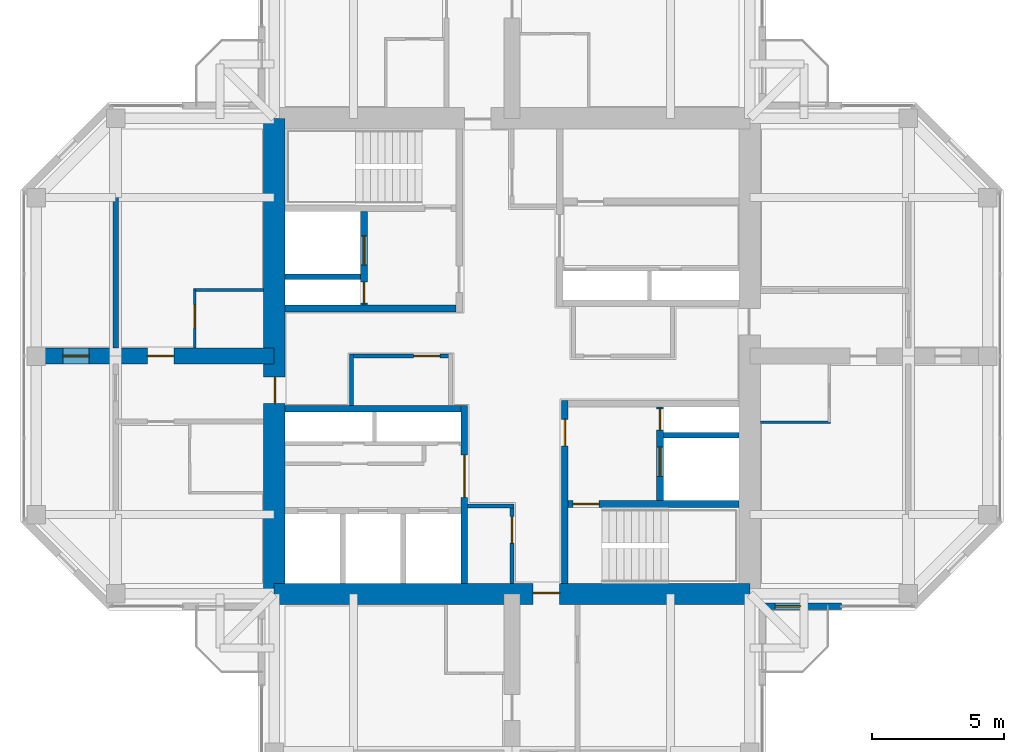
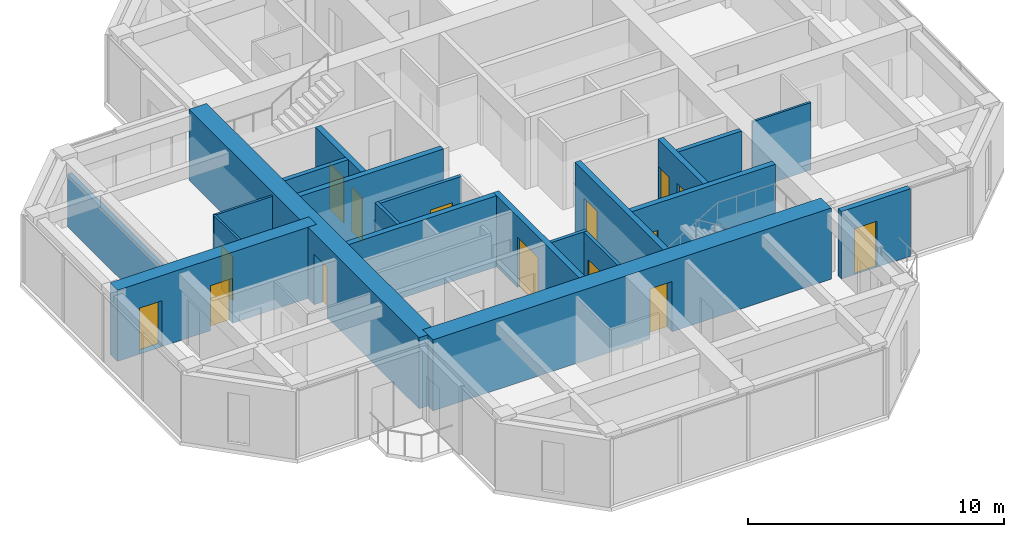
# One storey, part 9 of 13: 21 walls, 15 doors, 15 openings.
"""IFC4 building model written with IfcOpenShell, lengths in metres."""

from ifc_helpers import new_model, si_unit, direction, frame, frame_2d, origin, place, context, subcontext, project, spatial, rectangle, hollow_rectangle, extrude, material, layer, layer_set, constituent, constituent_set, type_object, element, fill, save


model = new_model("IFC4")

# Units and contexts
model_context = context("Model", 3, precision=1e-05, world=origin(), true_north=direction((0.0, 1.0)))
body_context = subcontext(model_context, "Body", "Model", "MODEL_VIEW")
ifc_project = project(units=[si_unit("LENGTHUNIT", "METRE"), si_unit("AREAUNIT", "SQUARE_METRE"), si_unit("VOLUMEUNIT", "CUBIC_METRE"), si_unit("PLANEANGLEUNIT", "RADIAN"), si_unit("MASSUNIT", "GRAM", prefix="KILO")], contexts=[model_context])

# Site, building, storey
site_placement = place(None, origin())
site = spatial("IfcSite", under=ifc_project, at=site_placement, CompositionType="ELEMENT")
building_placement = place(site_placement, origin())
building = spatial("IfcBuilding", under=site, at=building_placement, Name="Torre Cruceta", CompositionType="ELEMENT")
storey_placement = place(building_placement, frame((0.0, 0.0, 267.89990234375)))
storey = spatial("IfcBuildingStorey", under=building, at=storey_placement, Name="L69", CompositionType="ELEMENT", Elevation=267.89990234375)

# Walls
ifc_material_1 = material(Name="Water-resistant plasterboard on steel studs", Category="steel")
ifc_layer_1 = layer(ifc_material_1, 0.10009765625)
ifc_layer_set_1 = layer_set([ifc_layer_1], Name="Water-resistant plasterboard on steel studs")
wall_type_1 = type_object("IfcWallType", Name="BATHROOM WALL 100", PredefinedType="PARTITIONING", material=ifc_layer_set_1)
for number, where, z_axis, x_axis, name in (
    (1, (9.39990234375, -2.5, 0.0), (0.0, 0.0, 1.0), (1.0, 0.0, 0.0), "PT4 L69-E-U1RBB"),
    (2, (-9.39990234375, 2.5, 0.0), (0.0, 0.0, 1.0), (-1.0, 0.0, 0.0), "PT4 L69-W-U1RBB"),
):
    element("IfcWall", number, at=place(storey_placement, frame(where, z_axis=z_axis, x_axis=x_axis)), inside=storey, type_object=wall_type_1, Name=name, PredefinedType="PARTITIONING", context=body_context, shape_type="SweptSolid", body=[
        extrude(rectangle(XDim=2.650146484375, YDim=0.10009765625, at=frame_2d((1.3251953125, 0.0))), origin(), (0.0, 0.0, 1.0), 3.22021484375),
    ])

# Wall, opening, door
wall_1_placement = place(storey_placement, frame((-12.0, 2.5, 0.0), z_axis=(0.0, 0.0, 1.0), x_axis=(0.0, -1.0, 0.0)))
wall_1 = element("IfcWall", 3, at=wall_1_placement, inside=storey, type_object=wall_type_1, Name="PT4 L69-W-U1RBS", PredefinedType="PARTITIONING", context=body_context, shape_type="SweptSolid", body=[
    extrude(rectangle(XDim=2.199951171875, YDim=0.10009765625, at=frame_2d((1.10009765625, 0.0))), origin(), (0.0, 0.0, 1.0), 3.22021484375),
])
opening_1_placement = place(wall_1_placement, frame((0.550048828125, 0.0, 0.0)))
opening_1 = element("IfcOpeningElement", 4, at=opening_1_placement, cuts=wall_1, Name="Opening D7", PredefinedType="OPENING", context=body_context, shape_type="SweptSolid", body=[
    extrude(rectangle(XDim=0.89990234375, YDim=2.10009765625, at=frame_2d((0.449951171875, 1.050048828125))), frame((0.0, 0.06005859375, 0.0), z_axis=(0.0, -1.0, 0.0), x_axis=(1.0, 0.0, 0.0)), (0.0, 0.0, 1.0), 0.1201171875),
])
ifc_material_2 = material(Name="Timber door", Category="wood")
door_type_1 = type_object("IfcDoorType", Name="BATHROOM DOOR 900X2100", OperationType="SINGLE_SWING_LEFT", PredefinedType="DOOR", material=ifc_material_2)
door_1_placement = place(opening_1_placement, origin())
door_1 = element("IfcDoor", 5, at=door_1_placement, inside=storey, type_object=door_type_1, Name="D7 L69-W-U1RBS-D1", OperationType="SINGLE_SWING_LEFT", OverallHeight=2.10009765625, OverallWidth=0.89990234375, PredefinedType="DOOR", context=body_context, shape_type="SweptSolid", body=[
    extrude(rectangle(XDim=0.89990234375, YDim=2.10009765625, at=frame_2d((0.449951171875, 1.050048828125))), frame((0.0, 0.02490234375, 0.0), z_axis=(0.0, -1.0, 0.0), x_axis=(1.0, 0.0, 0.0)), (0.0, 0.0, 1.0), 0.050048828125),
])
fill(opening_1, door_1)

# Wall
ifc_material_3 = material(Name="Concrete G60 (fck 60 MPa)", Category="concrete")
ifc_layer_2 = layer(ifc_material_3, 0.25)
ifc_layer_set_2 = layer_set([ifc_layer_2], Name="Concrete G60 (fck 60 MPa)")
wall_type_2 = type_object("IfcWallType", Name="CORE INNER WALL 250 G60", PredefinedType="SHEAR", material=ifc_layer_set_2)
wall_2_placement = place(storey_placement, frame((-2.125, 1.800048828125, 0.0), z_axis=(0.0, 0.0, 1.0), x_axis=(-1.0, 0.0, 0.0)))
element("IfcWall", 6, at=wall_2_placement, inside=storey, type_object=wall_type_2, Name="CW4 L69 NW-CV", PredefinedType="SHEAR", context=body_context, shape_type="SweptSolid", body=[
    extrude(rectangle(XDim=6.47509765625, YDim=0.25, at=frame_2d((3.237548828125, 0.0))), origin(), (0.0, 0.0, 1.0), 3.400146484375),
])

# Wall, openings, doors
wall_3_placement = place(storey_placement, frame((-5.60009765625, 1.925048828125, 0.0), z_axis=(0.0, 0.0, 1.0), x_axis=(0.0, 1.0, 0.0)))
wall_3 = element("IfcWall", 7, at=wall_3_placement, inside=storey, type_object=wall_type_2, Name="CW4 L69 NW-FU", PredefinedType="SHEAR", context=body_context, shape_type="SweptSolid", body=[
    extrude(rectangle(XDim=3.550048828125, YDim=0.25, at=frame_2d((1.77490234375, 0.0))), origin(), (0.0, 0.0, 1.0), 3.400146484375),
])
opening_2_placement = place(wall_3_placement, frame((1.52490234375, 0.0, 0.0)))
opening_2 = element("IfcOpeningElement", 8, at=opening_2_placement, cuts=wall_3, Name="Opening LD1", PredefinedType="OPENING", context=body_context, shape_type="SweptSolid", body=[
    extrude(rectangle(XDim=1.10009765625, YDim=2.199951171875, at=frame_2d((0.550048828125, 1.10009765625))), frame((0.0, 0.135009765625, 0.0), z_axis=(0.0, -1.0, 0.0), x_axis=(1.0, 0.0, 0.0)), (0.0, 0.0, 1.0), 0.27001953125),
])
opening_3_placement = place(wall_3_placement, frame((0.074951171875, 0.0, 0.0)))
opening_3 = element("IfcOpeningElement", 9, at=opening_3_placement, cuts=wall_3, Name="Opening D5", PredefinedType="OPENING", context=body_context, shape_type="SweptSolid", body=[
    extrude(rectangle(XDim=0.800048828125, YDim=2.10009765625, at=frame_2d((0.39990234375, 1.050048828125))), frame((0.0, 0.135009765625, 0.0), z_axis=(0.0, -1.0, 0.0), x_axis=(1.0, 0.0, 0.0)), (0.0, 0.0, 1.0), 0.27001953125),
])
ifc_material_4 = material(Name="Stainless steel 1.4401", Category="steel")
door_type_2 = type_object("IfcDoorType", Name="LIFT LANDING DOOR 1100X2200", OperationType="DOUBLE_DOOR_SLIDING", PredefinedType="DOOR", material=ifc_material_4)
door_2_placement = place(opening_2_placement, origin())
door_2 = element("IfcDoor", 10, at=door_2_placement, inside=storey, type_object=door_type_2, Name="Lift landing door FL1", OperationType="DOUBLE_DOOR_SLIDING", OverallHeight=2.199951171875, OverallWidth=1.10009765625, PredefinedType="DOOR", context=body_context, shape_type="SweptSolid", body=[
    extrude(rectangle(XDim=1.10009765625, YDim=2.199951171875, at=frame_2d((0.550048828125, 1.10009765625))), frame((0.0, 0.02490234375, 0.0), z_axis=(0.0, -1.0, 0.0), x_axis=(1.0, 0.0, 0.0)), (0.0, 0.0, 1.0), 0.050048828125),
])
fill(opening_2, door_2)
ifc_material_5 = material(Name="Steel DX51D", Category="steel")
ifc_constituent_1 = constituent(ifc_material_5, Name="Leaf and frame")
ifc_material_6 = material(Name="Polyester powder coating", Category="paint")
ifc_constituent_2 = constituent(ifc_material_6, Name="Finish")
ifc_constituent_set_1 = constituent_set(constituents=[ifc_constituent_1, ifc_constituent_2], Name="Steel fire door")
door_type_3 = type_object("IfcDoorType", Name="RISER ACCESS DOOR 800X2100", OperationType="SINGLE_SWING_LEFT", PredefinedType="DOOR", material=ifc_constituent_set_1)
door_3_placement = place(opening_3_placement, origin())
door_3 = element("IfcDoor", 11, at=door_3_placement, inside=storey, type_object=door_type_3, Name="D5 L69 NW-RISER", OperationType="SINGLE_SWING_LEFT", OverallHeight=2.10009765625, OverallWidth=0.800048828125, PredefinedType="DOOR", context=body_context, shape_type="SweptSolid", body=[
    extrude(rectangle(XDim=0.800048828125, YDim=2.10009765625, at=frame_2d((0.39990234375, 1.050048828125))), frame((0.0, 0.02490234375, 0.0), z_axis=(0.0, -1.0, 0.0), x_axis=(1.0, 0.0, 0.0)), (0.0, 0.0, 1.0), 0.050048828125),
])
fill(opening_3, door_3)

# Wall, opening, door
wall_4_placement = place(storey_placement, frame((-1.800048828125, -1.875, 0.0), z_axis=(0.0, 0.0, 1.0), x_axis=(0.0, -1.0, 0.0)))
wall_4 = element("IfcWall", 12, at=wall_4_placement, inside=storey, type_object=wall_type_2, Name="CW4 L69 SW-CU", PredefinedType="SHEAR", context=body_context, shape_type="SweptSolid", body=[
    extrude(rectangle(XDim=6.72509765625, YDim=0.25, at=frame_2d((3.362548828125, 0.0))), origin(), (0.0, 0.0, 1.0), 3.400146484375),
])
opening_4_placement = place(wall_4_placement, frame((1.875, 0.0, 0.0)))
opening_4 = element("IfcOpeningElement", 13, at=opening_4_placement, cuts=wall_4, Name="Opening D8", PredefinedType="OPENING", context=body_context, shape_type="SweptSolid", body=[
    extrude(rectangle(XDim=1.60009765625, YDim=2.39990234375, at=frame_2d((0.800048828125, 1.199951171875))), frame((0.0, 0.135009765625, 0.0), z_axis=(0.0, -1.0, 0.0), x_axis=(1.0, 0.0, 0.0)), (0.0, 0.0, 1.0), 0.27001953125),
])
ifc_material_7 = material(Name="Steel DX51D", Category="steel")
ifc_constituent_3 = constituent(ifc_material_7, Name="Leaf and frame")
ifc_material_8 = material(Name="Polyester powder coating", Category="paint")
ifc_constituent_4 = constituent(ifc_material_8, Name="Finish")
ifc_material_9 = material(Name="Fire-resisting glass", Category="glass")
ifc_constituent_5 = constituent(ifc_material_9, Name="Vision panel")
ifc_constituent_set_2 = constituent_set(constituents=[ifc_constituent_3, ifc_constituent_4, ifc_constituent_5], Name="Steel fire door with vision panels")
door_type_4 = type_object("IfcDoorType", Name="LIFT LOBBY DOUBLE DOOR 1600X2400", OperationType="DOUBLE_DOOR_DOUBLE_SWING", PredefinedType="DOOR", material=ifc_constituent_set_2)
door_4_placement = place(opening_4_placement, origin())
door_4 = element("IfcDoor", 14, at=door_4_placement, inside=storey, type_object=door_type_4, Name="D8 L69 SW-LOBBY", OperationType="DOUBLE_DOOR_DOUBLE_SWING", OverallHeight=2.39990234375, OverallWidth=1.60009765625, PredefinedType="DOOR", context=body_context, shape_type="SweptSolid", body=[
    extrude(rectangle(XDim=1.60009765625, YDim=2.39990234375, at=frame_2d((0.800048828125, 1.199951171875))), frame((0.0, 0.02490234375, 0.0), z_axis=(0.0, -1.0, 0.0), x_axis=(1.0, 0.0, 0.0)), (0.0, 0.0, 1.0), 0.050048828125),
])
fill(opening_4, door_4)

# Wall
wall_5_placement = place(storey_placement, frame((-1.925048828125, -2.0, 0.0), z_axis=(0.0, 0.0, 1.0), x_axis=(-1.0, 0.0, 0.0)))
element("IfcWall", 15, at=wall_5_placement, inside=storey, type_object=wall_type_2, Name="CW4 L69 SW-CV", PredefinedType="SHEAR", context=body_context, shape_type="SweptSolid", body=[
    extrude(rectangle(XDim=6.675048828125, YDim=0.25, at=frame_2d((3.33740234375, 0.0))), origin(), (0.0, 0.0, 1.0), 3.400146484375),
])

# Wall, opening, door
wall_6_placement = place(storey_placement, frame((2.0, -1.675048828125, 0.0), z_axis=(0.0, 0.0, 1.0), x_axis=(0.0, -1.0, 0.0)))
wall_6 = element("IfcWall", 16, at=wall_6_placement, inside=storey, type_object=wall_type_2, Name="CW4 L69 SE-CU", PredefinedType="SHEAR", context=body_context, shape_type="SweptSolid", body=[
    extrude(rectangle(XDim=6.925048828125, YDim=0.25, at=frame_2d((3.46240234375, 0.0))), origin(), (0.0, 0.0, 1.0), 3.400146484375),
])
opening_5_placement = place(wall_6_placement, frame((0.72509765625, 0.0, 0.0)))
opening_5 = element("IfcOpeningElement", 17, at=opening_5_placement, cuts=wall_6, Name="Opening D3", PredefinedType="OPENING", context=body_context, shape_type="SweptSolid", body=[
    extrude(rectangle(XDim=1.0, YDim=2.10009765625, at=frame_2d((0.5, 1.050048828125))), frame((0.0, 0.135009765625, 0.0), z_axis=(0.0, -1.0, 0.0), x_axis=(1.0, 0.0, 0.0)), (0.0, 0.0, 1.0), 0.27001953125),
])
ifc_material_10 = material(Name="Steel DX51D", Category="steel")
ifc_constituent_6 = constituent(ifc_material_10, Name="Leaf and frame")
ifc_material_11 = material(Name="Polyester powder coating", Category="paint")
ifc_constituent_7 = constituent(ifc_material_11, Name="Finish")
ifc_constituent_set_3 = constituent_set(constituents=[ifc_constituent_6, ifc_constituent_7], Name="Steel fire door")
door_type_5 = type_object("IfcDoorType", Name="FIRE DOOR 1000X2100", OperationType="SINGLE_SWING_LEFT", PredefinedType="DOOR", material=ifc_constituent_set_3)
door_5_placement = place(opening_5_placement, origin())
door_5 = element("IfcDoor", 18, at=door_5_placement, inside=storey, type_object=door_type_5, Name="D3 L69 SE-LOBBY", OperationType="SINGLE_SWING_LEFT", OverallHeight=2.10009765625, OverallWidth=1.0, PredefinedType="DOOR", context=body_context, shape_type="SweptSolid", body=[
    extrude(rectangle(XDim=1.0, YDim=2.10009765625, at=frame_2d((0.5, 1.050048828125))), frame((0.0, 0.02490234375, 0.0), z_axis=(0.0, -1.0, 0.0), x_axis=(1.0, 0.0, 0.0)), (0.0, 0.0, 1.0), 0.050048828125),
])
fill(opening_5, door_5)

wall_7_placement = place(storey_placement, frame((2.125, -5.60009765625, 0.0), z_axis=(0.0, 0.0, 1.0), x_axis=(1.0, 0.0, 0.0)))
wall_7 = element("IfcWall", 19, at=wall_7_placement, inside=storey, type_object=wall_type_2, Name="CW4 L69 SE-SV", PredefinedType="SHEAR", context=body_context, shape_type="SweptSolid", body=[
    extrude(rectangle(XDim=6.47509765625, YDim=0.25, at=frame_2d((3.237548828125, 0.0))), origin(), (0.0, 0.0, 1.0), 3.400146484375),
])
opening_6_placement = place(wall_7_placement, frame((0.175048828125, 0.0, 0.0)))
opening_6 = element("IfcOpeningElement", 20, at=opening_6_placement, cuts=wall_7, Name="Opening D3", PredefinedType="OPENING", context=body_context, shape_type="SweptSolid", body=[
    extrude(rectangle(XDim=1.0, YDim=2.10009765625, at=frame_2d((0.5, 1.050048828125))), frame((0.0, 0.135009765625, 0.0), z_axis=(0.0, -1.0, 0.0), x_axis=(1.0, 0.0, 0.0)), (0.0, 0.0, 1.0), 0.27001953125),
])
door_6_placement = place(opening_6_placement, frame((1.0, 0.0, 0.0), z_axis=(0.0, 0.0, 1.0), x_axis=(-1.0, 0.0, 0.0)))
door_6 = element("IfcDoor", 21, at=door_6_placement, inside=storey, type_object=door_type_5, Name="D3 L69 SE-STAIR", OperationType="SINGLE_SWING_RIGHT", OverallHeight=2.10009765625, OverallWidth=1.0, PredefinedType="DOOR", context=body_context, shape_type="SweptSolid", body=[
    extrude(rectangle(XDim=1.0, YDim=2.10009765625, at=frame_2d((0.5, 1.050048828125))), frame((0.0, 0.025146484375, 0.0), z_axis=(0.0, -1.0, 0.0), x_axis=(1.0, 0.0, 0.0)), (0.0, 0.0, 1.0), 0.050048828125),
])
fill(opening_6, door_6)

# Wall, openings, doors
wall_8_placement = place(storey_placement, frame((5.60009765625, -1.925048828125, 0.0), z_axis=(0.0, 0.0, 1.0), x_axis=(0.0, -1.0, 0.0)))
wall_8 = element("IfcWall", 22, at=wall_8_placement, inside=storey, type_object=wall_type_2, Name="CW4 L69 SE-FU", PredefinedType="SHEAR", context=body_context, shape_type="SweptSolid", body=[
    extrude(rectangle(XDim=3.550048828125, YDim=0.25, at=frame_2d((1.77490234375, 0.0))), origin(), (0.0, 0.0, 1.0), 3.400146484375),
])
opening_7_placement = place(wall_8_placement, frame((1.52490234375, 0.0, 0.0)))
opening_7 = element("IfcOpeningElement", 23, at=opening_7_placement, cuts=wall_8, Name="Opening LD1", PredefinedType="OPENING", context=body_context, shape_type="SweptSolid", body=[
    extrude(rectangle(XDim=1.10009765625, YDim=2.199951171875, at=frame_2d((0.550048828125, 1.10009765625))), frame((0.0, 0.135009765625, 0.0), z_axis=(0.0, -1.0, 0.0), x_axis=(1.0, 0.0, 0.0)), (0.0, 0.0, 1.0), 0.27001953125),
])
opening_8_placement = place(wall_8_placement, frame((0.074951171875, 0.0, 0.0)))
opening_8 = element("IfcOpeningElement", 24, at=opening_8_placement, cuts=wall_8, Name="Opening D5", PredefinedType="OPENING", context=body_context, shape_type="SweptSolid", body=[
    extrude(rectangle(XDim=0.800048828125, YDim=2.10009765625, at=frame_2d((0.39990234375, 1.050048828125))), frame((0.0, 0.135009765625, 0.0), z_axis=(0.0, -1.0, 0.0), x_axis=(1.0, 0.0, 0.0)), (0.0, 0.0, 1.0), 0.27001953125),
])
door_7_placement = place(opening_7_placement, origin())
door_7 = element("IfcDoor", 25, at=door_7_placement, inside=storey, type_object=door_type_2, Name="Lift landing door FL2", OperationType="DOUBLE_DOOR_SLIDING", OverallHeight=2.199951171875, OverallWidth=1.10009765625, PredefinedType="DOOR", context=body_context, shape_type="SweptSolid", body=[
    extrude(rectangle(XDim=1.10009765625, YDim=2.199951171875, at=frame_2d((0.550048828125, 1.10009765625))), frame((0.0, 0.02490234375, 0.0), z_axis=(0.0, -1.0, 0.0), x_axis=(1.0, 0.0, 0.0)), (0.0, 0.0, 1.0), 0.050048828125),
])
fill(opening_7, door_7)
door_8_placement = place(opening_8_placement, origin())
door_8 = element("IfcDoor", 26, at=door_8_placement, inside=storey, type_object=door_type_3, Name="D5 L69 SE-RISER", OperationType="SINGLE_SWING_LEFT", OverallHeight=2.10009765625, OverallWidth=0.800048828125, PredefinedType="DOOR", context=body_context, shape_type="SweptSolid", body=[
    extrude(rectangle(XDim=0.800048828125, YDim=2.10009765625, at=frame_2d((0.39990234375, 1.050048828125))), frame((0.0, 0.02490234375, 0.0), z_axis=(0.0, -1.0, 0.0), x_axis=(1.0, 0.0, 0.0)), (0.0, 0.0, 1.0), 0.050048828125),
])
fill(opening_8, door_8)

# Wall, opening, door
ifc_material_12 = material(Name="Concrete G60 (fck 60 MPa)", Category="concrete")
ifc_layer_3 = layer(ifc_material_12, 0.800048828125)
ifc_layer_set_3 = layer_set([ifc_layer_3], Name="Concrete G60 (fck 60 MPa)")
wall_type_3 = type_object("IfcWallType", Name="CORE WALL 800 G60", PredefinedType="SHEAR", material=ifc_layer_set_3)
wall_9_placement = place(storey_placement, frame((-9.0, -9.0, 0.0), z_axis=(0.0, 0.0, 1.0), x_axis=(1.0, 0.0, 0.0)))
wall_9 = element("IfcWall", 27, at=wall_9_placement, inside=storey, type_object=wall_type_3, Name="CW3 L69 CW-S", PredefinedType="SHEAR", context=body_context, shape_type="SweptSolid", body=[
    extrude(rectangle(XDim=18.0, YDim=0.800048828125, at=frame_2d((9.0, 0.0))), origin(), (0.0, 0.0, 1.0), 3.400146484375),
])
opening_9_placement = place(wall_9_placement, frame((9.800048828125, 0.0, 0.0)))
opening_9 = element("IfcOpeningElement", 28, at=opening_9_placement, cuts=wall_9, Name="Opening D4", PredefinedType="OPENING", context=body_context, shape_type="SweptSolid", body=[
    extrude(rectangle(XDim=1.0, YDim=2.39990234375, at=frame_2d((0.5, 1.199951171875))), frame((0.0, 0.409912109375, 0.0), z_axis=(0.0, -1.0, 0.0), x_axis=(1.0, 0.0, 0.0)), (0.0, 0.0, 1.0), 0.820068359375),
])
ifc_material_13 = material(Name="Steel DX51D", Category="steel")
ifc_constituent_8 = constituent(ifc_material_13, Name="Leaf and frame")
ifc_material_14 = material(Name="Polyester powder coating", Category="paint")
ifc_constituent_9 = constituent(ifc_material_14, Name="Finish")
ifc_constituent_set_4 = constituent_set(constituents=[ifc_constituent_8, ifc_constituent_9], Name="Steel fire door")
door_type_6 = type_object("IfcDoorType", Name="CORE ARM DOOR 1000X2400", OperationType="SINGLE_SWING_RIGHT", PredefinedType="DOOR", material=ifc_constituent_set_4)
door_9_placement = place(opening_9_placement, origin())
door_9 = element("IfcDoor", 29, at=door_9_placement, inside=storey, type_object=door_type_6, Name="D4 L69 CW-S", OperationType="SINGLE_SWING_RIGHT", OverallHeight=2.39990234375, OverallWidth=1.0, PredefinedType="DOOR", context=body_context, shape_type="SweptSolid", body=[
    extrude(rectangle(XDim=1.0, YDim=2.39990234375, at=frame_2d((0.5, 1.199951171875))), frame((0.0, 0.05517578125, 0.0), z_axis=(0.0, -1.0, 0.0), x_axis=(1.0, 0.0, 0.0)), (0.0, 0.0, 1.0), 0.050048828125),
])
fill(opening_9, door_9)

wall_10_placement = place(storey_placement, frame((-9.0, 9.0, 0.0), z_axis=(0.0, 0.0, 1.0), x_axis=(0.0, -1.0, 0.0)))
wall_10 = element("IfcWall", 30, at=wall_10_placement, inside=storey, type_object=wall_type_3, Name="CW3 L69 CW-W", PredefinedType="SHEAR", context=body_context, shape_type="SweptSolid", body=[
    extrude(rectangle(XDim=18.0, YDim=0.800048828125, at=frame_2d((9.0, 0.0))), origin(), (0.0, 0.0, 1.0), 3.400146484375),
])
opening_10_placement = place(wall_10_placement, frame((9.800048828125, 0.0, 0.0)))
opening_10 = element("IfcOpeningElement", 31, at=opening_10_placement, cuts=wall_10, Name="Opening D4", PredefinedType="OPENING", context=body_context, shape_type="SweptSolid", body=[
    extrude(rectangle(XDim=1.0, YDim=2.39990234375, at=frame_2d((0.5, 1.199951171875))), frame((0.0, 0.409912109375, 0.0), z_axis=(0.0, -1.0, 0.0), x_axis=(1.0, 0.0, 0.0)), (0.0, 0.0, 1.0), 0.820068359375),
])
door_10_placement = place(opening_10_placement, origin())
door_10 = element("IfcDoor", 32, at=door_10_placement, inside=storey, type_object=door_type_6, Name="D4 L69 CW-W", OperationType="SINGLE_SWING_RIGHT", OverallHeight=2.39990234375, OverallWidth=1.0, PredefinedType="DOOR", context=body_context, shape_type="SweptSolid", body=[
    extrude(rectangle(XDim=1.0, YDim=2.39990234375, at=frame_2d((0.5, 1.199951171875))), frame((0.0, 0.05517578125, 0.0), z_axis=(0.0, -1.0, 0.0), x_axis=(1.0, 0.0, 0.0)), (0.0, 0.0, 1.0), 0.050048828125),
])
fill(opening_10, door_10)

# Walls
ifc_material_15 = material(Name="Concrete G35 (fck 35 MPa)", Category="concrete")
ifc_layer_4 = layer(ifc_material_15, 0.199951171875)
ifc_layer_set_4 = layer_set([ifc_layer_4], Name="Concrete G35 (fck 35 MPa)")
wall_type_4 = type_object("IfcWallType", Name="LIFT SHAFT WALL 200", PredefinedType="PARTITIONING", material=ifc_layer_set_4)
for number, where, z_axis, x_axis, name in (
    (33, (-5.72509765625, 3.0, 0.0), (0.0, 0.0, 1.0), (-1.0, 0.0, 0.0), "SW1 L69 NW-FR"),
    (34, (5.72509765625, -3.0, 0.0), (0.0, 0.0, 1.0), (1.0, 0.0, 0.0), "SW1 L69 SE-FR"),
):
    element("IfcWall", number, at=place(storey_placement, frame(where, z_axis=z_axis, x_axis=x_axis)), inside=storey, type_object=wall_type_4, Name=name, PredefinedType="PARTITIONING", context=body_context, shape_type="SweptSolid", body=[
        extrude(rectangle(XDim=2.875, YDim=0.199951171875, at=frame_2d((1.4375, 0.0))), origin(), (0.0, 0.0, 1.0), 3.400146484375),
    ])

# Wall, opening, door
ifc_material_16 = material(Name="Plasterboard on steel studs", Category="steel")
ifc_layer_5 = layer(ifc_material_16, 0.14990234375)
ifc_layer_set_5 = layer_set([ifc_layer_5], Name="Plasterboard on steel studs")
wall_type_5 = type_object("IfcWallType", Name="PARTITION 150", PredefinedType="PARTITIONING", material=ifc_layer_set_5)
wall_11_placement = place(storey_placement, frame((-2.324951171875, 0.0, 0.0), z_axis=(0.0, 0.0, 1.0), x_axis=(-1.0, 0.0, 0.0)))
wall_11 = element("IfcWall", 35, at=wall_11_placement, inside=storey, type_object=wall_type_5, Name="PT1 L69-CORE-LEGW-S-W1", PredefinedType="PARTITIONING", context=body_context, shape_type="SweptSolid", body=[
    extrude(rectangle(XDim=3.75, YDim=0.14990234375, at=frame_2d((1.875, 0.0))), origin(), (0.0, 0.0, 1.0), 3.22021484375),
])
opening_11_placement = place(wall_11_placement, frame((0.39990234375, 0.0, 0.0)))
opening_11 = element("IfcOpeningElement", 36, at=opening_11_placement, cuts=wall_11, Name="Opening D3", PredefinedType="OPENING", context=body_context, shape_type="SweptSolid", body=[
    extrude(rectangle(XDim=1.0, YDim=2.10009765625, at=frame_2d((0.5, 1.050048828125))), frame((0.0, 0.0849609375, 0.0), z_axis=(0.0, -1.0, 0.0), x_axis=(1.0, 0.0, 0.0)), (0.0, 0.0, 1.0), 0.169921875),
])
door_11_placement = place(opening_11_placement, origin())
door_11 = element("IfcDoor", 37, at=door_11_placement, inside=storey, type_object=door_type_5, Name="D3 L69-CORE-LEGW-S-W1-D1", OperationType="SINGLE_SWING_LEFT", OverallHeight=2.10009765625, OverallWidth=1.0, PredefinedType="DOOR", context=body_context, shape_type="SweptSolid", body=[
    extrude(rectangle(XDim=1.0, YDim=2.10009765625, at=frame_2d((0.5, 1.050048828125))), frame((0.0, 0.02490234375, 0.0), z_axis=(0.0, -1.0, 0.0), x_axis=(1.0, 0.0, 0.0)), (0.0, 0.0, 1.0), 0.050048828125),
])
fill(opening_11, door_11)

# Wall
wall_12_placement = place(storey_placement, frame((-6.074951171875, 0.074951171875, 0.0), z_axis=(0.0, 0.0, 1.0), x_axis=(0.0, -1.0, 0.0)))
element("IfcWall", 38, at=wall_12_placement, inside=storey, type_object=wall_type_5, Name="PT1 L69-CORE-LEGW-S-W3", PredefinedType="PARTITIONING", context=body_context, shape_type="SweptSolid", body=[
    extrude(rectangle(XDim=1.949951171875, YDim=0.14990234375, at=frame_2d((0.97509765625, 0.0))), origin(), (0.0, 0.0, 1.0), 3.22021484375),
])

# Wall, opening, door
wall_13_placement = place(storey_placement, frame((0.0, -5.675048828125, 0.0), z_axis=(0.0, 0.0, 1.0), x_axis=(0.0, -1.0, 0.0)))
wall_13 = element("IfcWall", 39, at=wall_13_placement, inside=storey, type_object=wall_type_5, Name="PT1 L69-CORE-LEGS-W-W1", PredefinedType="PARTITIONING", context=body_context, shape_type="SweptSolid", body=[
    extrude(rectangle(XDim=2.925048828125, YDim=0.14990234375, at=frame_2d((1.46240234375, 0.0))), origin(), (0.0, 0.0, 1.0), 3.22021484375),
])
opening_12_placement = place(wall_13_placement, frame((0.39990234375, 0.0, 0.0)))
opening_12 = element("IfcOpeningElement", 40, at=opening_12_placement, cuts=wall_13, Name="Opening D3", PredefinedType="OPENING", context=body_context, shape_type="SweptSolid", body=[
    extrude(rectangle(XDim=1.0, YDim=2.10009765625, at=frame_2d((0.5, 1.050048828125))), frame((0.0, 0.0849609375, 0.0), z_axis=(0.0, -1.0, 0.0), x_axis=(1.0, 0.0, 0.0)), (0.0, 0.0, 1.0), 0.169921875),
])
door_12_placement = place(opening_12_placement, frame((1.0, 0.0, 0.0), z_axis=(0.0, 0.0, 1.0), x_axis=(-1.0, 0.0, 0.0)))
door_12 = element("IfcDoor", 41, at=door_12_placement, inside=storey, type_object=door_type_5, Name="D3 L69-CORE-LEGS-W-W1-D1", OperationType="SINGLE_SWING_RIGHT", OverallHeight=2.10009765625, OverallWidth=1.0, PredefinedType="DOOR", context=body_context, shape_type="SweptSolid", body=[
    extrude(rectangle(XDim=1.0, YDim=2.10009765625, at=frame_2d((0.5, 1.050048828125))), frame((0.0, 0.025146484375, 0.0), z_axis=(0.0, -1.0, 0.0), x_axis=(1.0, 0.0, 0.0)), (0.0, 0.0, 1.0), 0.050048828125),
])
fill(opening_12, door_12)

# Wall
wall_14_placement = place(storey_placement, frame((-1.675048828125, -5.675048828125, 0.0), z_axis=(0.0, 0.0, 1.0), x_axis=(1.0, 0.0, 0.0)))
element("IfcWall", 42, at=wall_14_placement, inside=storey, type_object=wall_type_5, Name="PT1 L69-CORE-LEGS-W-W2", PredefinedType="PARTITIONING", context=body_context, shape_type="SweptSolid", body=[
    extrude(rectangle(XDim=1.75, YDim=0.14990234375, at=frame_2d((0.875, 0.0))), origin(), (0.0, 0.0, 1.0), 3.22021484375),
])

# Wall, openings, doors
ifc_material_17 = material(Name="Concrete G60 (fck 60 MPa)", Category="concrete")
ifc_layer_6 = layer(ifc_material_17, 0.60009765625)
ifc_layer_set_6 = layer_set([ifc_layer_6], Name="Concrete G60 (fck 60 MPa)")
wall_type_6 = type_object("IfcWallType", Name="SPINE WALL 600 G60", PredefinedType="SHEAR", material=ifc_layer_set_6)
wall_15_placement = place(storey_placement, frame((-9.0, 0.0, 0.0), z_axis=(0.0, 0.0, 1.0), x_axis=(-1.0, 0.0, 0.0)))
wall_15 = element("IfcWall", 43, at=wall_15_placement, inside=storey, type_object=wall_type_6, Name="SW5 spine wall L69 W", PredefinedType="SHEAR", context=body_context, shape_type="SweptSolid", body=[
    extrude(rectangle(XDim=9.0, YDim=0.60009765625, at=frame_2d((4.5, 0.0))), origin(), (0.0, 0.0, 1.0), 3.400146484375),
])
opening_13_placement = place(wall_15_placement, frame((3.800048828125, 0.0, 0.0)))
opening_13 = element("IfcOpeningElement", 44, at=opening_13_placement, cuts=wall_15, Name="Opening D6", PredefinedType="OPENING", context=body_context, shape_type="SweptSolid", body=[
    extrude(rectangle(XDim=1.0, YDim=2.14990234375, at=frame_2d((0.5, 1.074951171875))), frame((0.0, 0.31005859375, 0.0), z_axis=(0.0, -1.0, 0.0), x_axis=(1.0, 0.0, 0.0)), (0.0, 0.0, 1.0), 0.6201171875),
])
opening_14_placement = place(wall_15_placement, frame((7.0, 0.0, 0.0)))
opening_14 = element("IfcOpeningElement", 45, at=opening_14_placement, cuts=wall_15, Name="Opening D14", PredefinedType="OPENING", context=body_context, shape_type="SweptSolid", body=[
    extrude(rectangle(XDim=1.0, YDim=2.199951171875, at=frame_2d((0.5, 1.10009765625))), frame((0.0, 0.31005859375, 0.0), z_axis=(0.0, -1.0, 0.0), x_axis=(1.0, 0.0, 0.0)), (0.0, 0.0, 1.0), 0.6201171875),
])
ifc_material_18 = material(Name="Steel DX51D", Category="steel")
ifc_constituent_10 = constituent(ifc_material_18, Name="Leaf and frame")
ifc_material_19 = material(Name="Polyester powder coating", Category="paint")
ifc_constituent_11 = constituent(ifc_material_19, Name="Finish")
ifc_material_20 = material(Name="Fire-resisting glass", Category="glass")
ifc_constituent_12 = constituent(ifc_material_20, Name="Vision panel")
ifc_constituent_set_5 = constituent_set(constituents=[ifc_constituent_10, ifc_constituent_11, ifc_constituent_12], Name="Steel fire door with vision panel")
door_type_7 = type_object("IfcDoorType", Name="FIRE DOOR VISION PANEL 1000X2200", OperationType="SINGLE_SWING_RIGHT", PredefinedType="DOOR", material=ifc_constituent_set_5)
door_13_placement = place(opening_14_placement, origin())
door_13 = element("IfcDoor", 46, at=door_13_placement, inside=storey, type_object=door_type_7, Name="D14 L69-W-SP2", OperationType="SINGLE_SWING_LEFT", OverallHeight=2.199951171875, OverallWidth=1.0, PredefinedType="DOOR", context=body_context, shape_type="SweptSolid", body=[
    extrude(rectangle(XDim=1.0, YDim=2.199951171875, at=frame_2d((0.5, 1.10009765625))), frame((0.0, 0.02490234375, 0.0), z_axis=(0.0, -1.0, 0.0), x_axis=(1.0, 0.0, 0.0)), (0.0, 0.0, 1.0), 0.050048828125),
])
fill(opening_14, door_13)
ifc_material_21 = material(Name="Timber fire door", Category="wood")
door_type_8 = type_object("IfcDoorType", Name="UNIT ENTRANCE DOOR 1000X2150", OperationType="SINGLE_SWING_LEFT", PredefinedType="DOOR", material=ifc_material_21)
door_14_placement = place(opening_13_placement, frame((1.0, 0.0, 0.0), z_axis=(0.0, 0.0, 1.0), x_axis=(-1.0, 0.0, 0.0)))
door_14 = element("IfcDoor", 47, at=door_14_placement, inside=storey, type_object=door_type_8, Name="D6 L69-W-SP1", OperationType="SINGLE_SWING_RIGHT", OverallHeight=2.14990234375, OverallWidth=1.0, PredefinedType="DOOR", context=body_context, shape_type="SweptSolid", body=[
    extrude(rectangle(XDim=1.0, YDim=2.14990234375, at=frame_2d((0.5, 1.074951171875))), frame((0.0, 0.025146484375, 0.0), z_axis=(0.0, -1.0, 0.0), x_axis=(1.0, 0.0, 0.0)), (0.0, 0.0, 1.0), 0.050048828125),
])
fill(opening_13, door_14)

# Wall
ifc_material_22 = material(Name="Concrete G25 (fck 25 MPa)", Category="concrete")
ifc_layer_7 = layer(ifc_material_22, 0.199951171875)
ifc_layer_set_7 = layer_set([ifc_layer_7], Name="Concrete G25 (fck 25 MPa)")
wall_type_7 = type_object("IfcWallType", Name="UNIT SEPARATING WALL 200", PredefinedType="SOLIDWALL", material=ifc_layer_set_7)
wall_16_placement = place(storey_placement, frame((-15.0, 8.64990234375, 0.0), z_axis=(0.0, 0.0, 1.0), x_axis=(0.0, -1.0, 0.0)))
element("IfcWall", 48, at=wall_16_placement, inside=storey, type_object=wall_type_7, Name="PT2 L69-W-ENDa", PredefinedType="SOLIDWALL", context=body_context, shape_type="SweptSolid", body=[
    extrude(rectangle(XDim=8.349853515625, YDim=0.199951171875, at=frame_2d((4.1748046875, 0.0))), origin(), (0.0, 0.0, 1.0), 2.52001953125),
])

# Wall, opening, door
ifc_material_23 = material(Name="Concrete G30 (fck 30 MPa)", Category="concrete")
ifc_layer_8 = layer(ifc_material_23, 0.25)
ifc_layer_set_8 = layer_set([ifc_layer_8], Name="Concrete G30 (fck 30 MPa)")
wall_type_8 = type_object("IfcWallType", Name="WINTER GARDEN WALL 250", PredefinedType="SOLIDWALL", material=ifc_layer_set_8)
wall_17_placement = place(storey_placement, frame((9.344970703125, -9.469970703125, 0.0), z_axis=(0.0, 0.0, 1.0), x_axis=(1.0, 0.0, 0.0)))
wall_17 = element("IfcWall", 49, at=wall_17_placement, inside=storey, type_object=wall_type_8, Name="EW2 winter garden wall L69 00", PredefinedType="SOLIDWALL", context=body_context, shape_type="SweptSolid", body=[
    extrude(rectangle(XDim=3.125, YDim=0.25, at=frame_2d((1.5625, 0.0))), origin(), (0.0, 0.0, 1.0), 3.22021484375),
])
opening_15_placement = place(wall_17_placement, frame((0.60009765625, 0.0, 0.0)))
opening_15 = element("IfcOpeningElement", 50, at=opening_15_placement, cuts=wall_17, Name="Opening D10", PredefinedType="OPENING", context=body_context, shape_type="SweptSolid", body=[
    extrude(rectangle(XDim=1.0, YDim=2.199951171875, at=frame_2d((0.5, 1.10009765625))), frame((0.0, 0.135009765625, 0.0), z_axis=(0.0, -1.0, 0.0), x_axis=(1.0, 0.0, 0.0)), (0.0, 0.0, 1.0), 0.27001953125),
])
ifc_material_24 = material(Name="Aluminium door frame", Category="aluminium")
ifc_constituent_13 = constituent(ifc_material_24, Name="Frame")
ifc_material_25 = material(Name="Laminated safety glass", Category="glass")
ifc_constituent_14 = constituent(ifc_material_25, Name="Glazing")
ifc_constituent_set_6 = constituent_set(constituents=[ifc_constituent_13, ifc_constituent_14], Name="Aluminium glazed door")
door_type_9 = type_object("IfcDoorType", Name="BALCONY DOOR 1000X2200", OperationType="SINGLE_SWING_RIGHT", PredefinedType="DOOR", material=ifc_constituent_set_6)
door_15_placement = place(opening_15_placement, origin())
door_15 = element("IfcDoor", 51, at=door_15_placement, inside=storey, type_object=door_type_9, Name="D10 balcony door L69 00", OperationType="SINGLE_SWING_LEFT", OverallHeight=2.199951171875, OverallWidth=1.0, PredefinedType="DOOR", context=body_context, shape_type="SweptSolid", body=[
    extrude(hollow_rectangle(XDim=1.0, YDim=2.199951171875, WallThickness=0.06005859375, at=frame_2d((0.5, 1.10009765625))), frame((0.0, 0.02490234375, 0.0), z_axis=(0.0, -1.0, 0.0), x_axis=(1.0, 0.0, 0.0)), (0.0, 0.0, 1.0), 0.050048828125),
    extrude(rectangle(XDim=0.87890625, YDim=2.078857421875, at=frame_2d((0.5, 1.10009765625))), frame((0.0, 0.02490234375, 0.0), z_axis=(0.0, -1.0, 0.0), x_axis=(1.0, 0.0, 0.0)), (0.0, 0.0, 1.0), 0.050048828125),
])
fill(opening_15, door_15)

save(model, "model.ifc")
